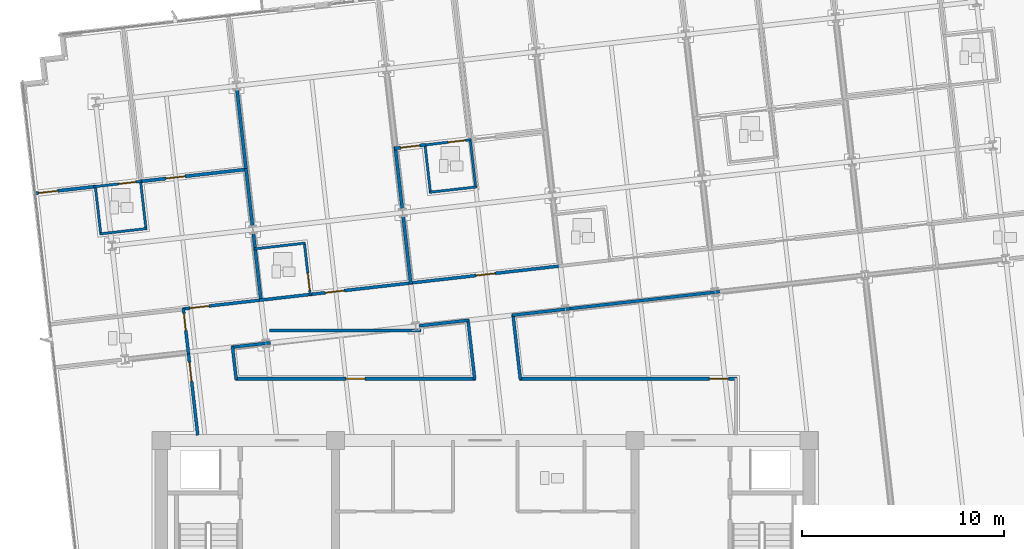
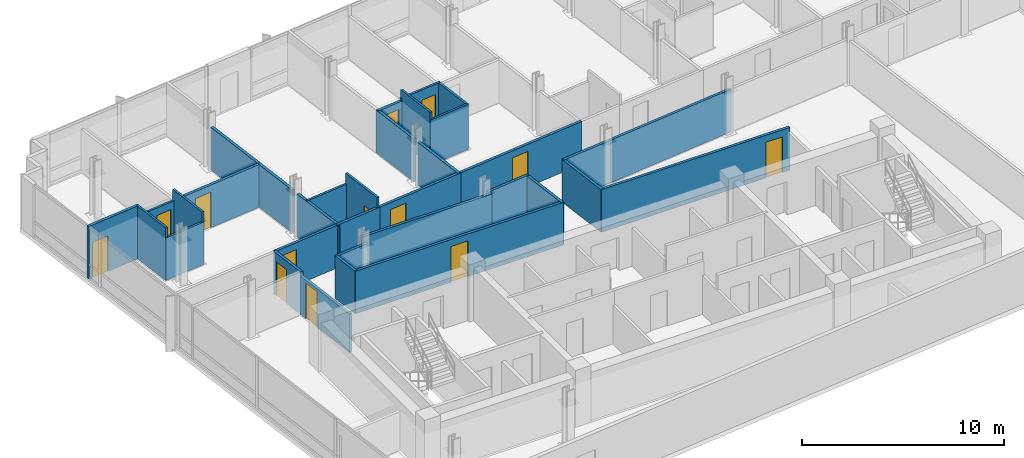
# One storey, part 9 of 17: 34 walls, 13 doors, 13 openings.
"""IFC4 building model written with IfcOpenShell, lengths in metres."""

from ifc_helpers import new_model, si_unit, direction, frame, frame_2d, origin, place, context, subcontext, project, spatial, rectangle, extrude, material, layer, layer_set, type_object, element, fill, save


model = new_model("IFC4")

# Units and contexts
model_context = context("Model", 3, precision=1e-05, world=origin(), true_north=direction((0.0, 1.0)))
body_context = subcontext(model_context, "Body", "Model", "MODEL_VIEW")
ifc_project = project(units=[si_unit("LENGTHUNIT", "METRE"), si_unit("AREAUNIT", "SQUARE_METRE"), si_unit("VOLUMEUNIT", "CUBIC_METRE"), si_unit("PLANEANGLEUNIT", "RADIAN"), si_unit("MASSUNIT", "GRAM", prefix="KILO")], contexts=[model_context])

# Site, building, storey
site_placement = place(None, origin())
site = spatial("IfcSite", under=ifc_project, at=site_placement, CompositionType="ELEMENT")
building_placement = place(site_placement, origin())
building = spatial("IfcBuilding", under=site, at=building_placement, Name="Solmavex Isthmus Hotel", CompositionType="ELEMENT")
storey_placement = place(building_placement, frame((0.0, 0.0, 195.14990234375)))
storey = spatial("IfcBuildingStorey", under=building, at=storey_placement, Name="L52", CompositionType="ELEMENT", Elevation=195.14990234375)

# Wall, opening, door
ifc_material_1 = material(Name="Gypsum plasterboard lining", Category="gypsum")
ifc_layer_1 = layer(ifc_material_1, 0.159912109375)
ifc_layer_set_1 = layer_set([ifc_layer_1], Name="Gypsum plasterboard lining")
wall_type_1 = type_object("IfcWallType", Name="IW-COMP-160", PredefinedType="PARTITIONING", material=ifc_layer_set_1)
wall_1_placement = place(storey_placement, frame((-22.273193359375, 9.701171875, 0.0), z_axis=(0.0, 0.0, 1.0), x_axis=(0.993565909035, 0.113255394587, 0.0)))
wall_1 = element("IfcWall", 1, at=wall_1_placement, inside=storey, type_object=wall_type_1, Name="Interior Partition Wall W-L52-P025", PredefinedType="PARTITIONING", context=body_context, shape_type="SweptSolid", body=[
    extrude(rectangle(XDim=3.073974609375, YDim=0.159912109375, at=frame_2d((1.537109375, 0.0))), origin(), (0.0, 0.0, 1.0), 3.190185546875),
])
opening_1_placement = place(wall_1_placement, frame((0.2099609375, 0.0, 0.0)))
opening_1 = element("IfcOpeningElement", 2, at=opening_1_placement, cuts=wall_1, Name="Opening ID-C095", PredefinedType="OPENING", context=body_context, shape_type="SweptSolid", body=[
    extrude(rectangle(XDim=0.949951171875, YDim=2.14990234375, at=frame_2d((0.47509765625, 1.074951171875))), frame((0.0, 0.08984375, 0.0), z_axis=(0.0, -1.0, 0.0), x_axis=(1.0, 0.0, 0.0)), (0.0, 0.0, 1.0), 0.179931640625),
])
ifc_material_2 = material(Name="Hardwood timber", Category="wood")
door_type_1 = type_object("IfcDoorType", Name="IDR-FD60-0950", OperationType="NOTDEFINED", PredefinedType="DOOR", material=ifc_material_2)
door_1_placement = place(opening_1_placement, origin())
door_1 = element("IfcDoor", 3, at=door_1_placement, inside=storey, type_object=door_type_1, Name="Diplomatic Suite Master Bedroom Door L52-02", OperationType="SINGLE_SWING_RIGHT", OverallHeight=2.14990234375, OverallWidth=0.949951171875, PredefinedType="DOOR", context=body_context, shape_type="SweptSolid", body=[
    extrude(rectangle(XDim=0.949951171875, YDim=2.14990234375, at=frame_2d((0.47509765625, 1.074951171875))), frame((0.0, 0.02490234375, 0.0), z_axis=(0.0, -1.0, 0.0), x_axis=(1.0, 0.0, 0.0)), (0.0, 0.0, 1.0), 0.050048828125),
])
fill(opening_1, door_1)

wall_2_placement = place(storey_placement, frame((-17.06298828125, 10.294921875, 0.0), z_axis=(0.0, 0.0, 1.0), x_axis=(0.993570013337, 0.113219382606, 0.0)))
wall_2 = element("IfcWall", 4, at=wall_2_placement, inside=storey, type_object=wall_type_1, Name="Interior Partition Wall W-L52-P026", PredefinedType="PARTITIONING", context=body_context, shape_type="SweptSolid", body=[
    extrude(rectangle(XDim=5.323974609375, YDim=0.159912109375, at=frame_2d((2.662109375, 0.0))), origin(), (0.0, 0.0, 1.0), 2.572509765625),
])
opening_2_placement = place(wall_2_placement, frame((1.305908203125, 0.0, 0.0)))
opening_2 = element("IfcOpeningElement", 5, at=opening_2_placement, cuts=wall_2, Name="Opening ID-C095", PredefinedType="OPENING", context=body_context, shape_type="SweptSolid", body=[
    extrude(rectangle(XDim=0.949951171875, YDim=2.14990234375, at=frame_2d((0.47509765625, 1.074951171875))), frame((0.0, 0.08984375, 0.0), z_axis=(0.0, -1.0, 0.0), x_axis=(1.0, 0.0, 0.0)), (0.0, 0.0, 1.0), 0.179931640625),
])
door_2_placement = place(opening_2_placement, origin())
door_2 = element("IfcDoor", 6, at=door_2_placement, inside=storey, type_object=door_type_1, Name="Diplomatic Suite Panorama Sitting Study Door L52-03", OperationType="SINGLE_SWING_LEFT", OverallHeight=2.14990234375, OverallWidth=0.949951171875, PredefinedType="DOOR", context=body_context, shape_type="SweptSolid", body=[
    extrude(rectangle(XDim=0.949951171875, YDim=2.14990234375, at=frame_2d((0.47509765625, 1.074951171875))), frame((0.0, 0.02490234375, 0.0), z_axis=(0.0, -1.0, 0.0), x_axis=(1.0, 0.0, 0.0)), (0.0, 0.0, 1.0), 0.050048828125),
])
fill(opening_2, door_2)

# Walls
wall_3_placement = place(storey_placement, frame((-11.817626953125, 10.932861328125, 0.0), z_axis=(0.0, 0.0, 1.0), x_axis=(0.113219576825, -0.993569991205, 0.0)))
element("IfcWall", 7, at=wall_3_placement, inside=storey, type_object=wall_type_1, Name="Interior Partition Wall W-L52-P030", PredefinedType="PARTITIONING", context=body_context, shape_type="SweptSolid", body=[
    extrude(rectangle(XDim=2.863525390625, YDim=0.159912109375, at=frame_2d((1.431640625, 0.0))), origin(), (0.0, 0.0, 1.0), 2.572509765625),
])
wall_4_placement = place(storey_placement, frame((-11.453369140625, 7.737060546875, 0.0), z_axis=(0.0, 0.0, 1.0), x_axis=(0.113229088195, -0.993568907317, 0.0)))
element("IfcWall", 8, at=wall_4_placement, inside=storey, type_object=wall_type_1, Name="Interior Partition Wall W-L52-P031", PredefinedType="PARTITIONING", context=body_context, shape_type="SweptSolid", body=[
    extrude(rectangle(XDim=3.361572265625, YDim=0.159912109375, at=frame_2d((1.6806640625, 0.0))), origin(), (0.0, 0.0, 1.0), 2.572509765625),
])
wall_5_placement = place(storey_placement, frame((-12.262939453125, 14.84326171875, 0.0), z_axis=(0.0, 0.0, 1.0), x_axis=(0.11320023419, -0.993572195152, 0.0)))
element("IfcWall", 9, at=wall_5_placement, inside=storey, type_object=wall_type_1, Name="Interior Partition Wall W-L52-P036", PredefinedType="PARTITIONING", context=body_context, shape_type="SweptSolid", body=[
    extrude(rectangle(XDim=4.015869140625, YDim=0.159912109375, at=frame_2d((2.0078125, 0.0))), origin(), (0.0, 0.0, 1.0), 2.572509765625),
])
wall_6_placement = place(storey_placement, frame((-4.44677734375, 12.01611328125, 0.0), z_axis=(0.0, 0.0, 1.0), x_axis=(0.113200718534, -0.993572139969, 0.0)))
element("IfcWall", 10, at=wall_6_placement, inside=storey, type_object=wall_type_1, Name="Interior Partition Wall W-L52-P039", PredefinedType="PARTITIONING", context=body_context, shape_type="SweptSolid", body=[
    extrude(rectangle(XDim=3.105712890625, YDim=0.159912109375, at=frame_2d((1.552734375, 0.0))), origin(), (0.0, 0.0, 1.0), 2.572509765625),
])
wall_7_placement = place(storey_placement, frame((-4.05517578125, 8.580078125, 0.0), z_axis=(0.0, 0.0, 1.0), x_axis=(0.113149223935, -0.993578005555, 0.0)))
element("IfcWall", 11, at=wall_7_placement, inside=storey, type_object=wall_type_1, Name="Interior Partition Wall W-L52-P040", PredefinedType="PARTITIONING", context=body_context, shape_type="SweptSolid", body=[
    extrude(rectangle(XDim=3.361572265625, YDim=0.159912109375, at=frame_2d((1.6806640625, 0.0))), origin(), (0.0, 0.0, 1.0), 2.572509765625),
])

# Wall, opening, door
wall_8_placement = place(storey_placement, frame((-4.477294921875, 11.93017578125, 0.0), z_axis=(0.0, 0.0, 1.0), x_axis=(0.993573147212, 0.113191877531, 0.0)))
wall_8 = element("IfcWall", 12, at=wall_8_placement, inside=storey, type_object=wall_type_1, Name="Interior Partition Wall W-L52-P043", PredefinedType="PARTITIONING", context=body_context, shape_type="SweptSolid", body=[
    extrude(rectangle(XDim=1.552978515625, YDim=0.159912109375, at=frame_2d((0.7763671875, 0.0))), origin(), (0.0, 0.0, 1.0), 2.572509765625),
])
opening_3_placement = place(wall_8_placement, frame((0.301513671875, 0.0, 0.0)))
opening_3 = element("IfcOpeningElement", 13, at=opening_3_placement, cuts=wall_8, Name="Opening ID-C095", PredefinedType="OPENING", context=body_context, shape_type="SweptSolid", body=[
    extrude(rectangle(XDim=0.949951171875, YDim=2.14990234375, at=frame_2d((0.47509765625, 1.074951171875))), frame((0.0, 0.08984375, 0.0), z_axis=(0.0, -1.0, 0.0), x_axis=(1.0, 0.0, 0.0)), (0.0, 0.0, 1.0), 0.179931640625),
])
door_3_placement = place(opening_3_placement, origin())
door_3 = element("IfcDoor", 14, at=door_3_placement, inside=storey, type_object=door_type_1, Name="Diplomatic Hospitality Suite Bedroom Door L52-08", OperationType="SINGLE_SWING_RIGHT", OverallHeight=2.14990234375, OverallWidth=0.949951171875, PredefinedType="DOOR", context=body_context, shape_type="SweptSolid", body=[
    extrude(rectangle(XDim=0.949951171875, YDim=2.14990234375, at=frame_2d((0.47509765625, 1.074951171875))), frame((0.0, 0.02490234375, 0.0), z_axis=(0.0, -1.0, 0.0), x_axis=(1.0, 0.0, 0.0)), (0.0, 0.0, 1.0), 0.050048828125),
])
fill(opening_3, door_3)

ifc_layer_2 = layer(ifc_material_1, 0.14990234375)
ifc_layer_set_2 = layer_set([ifc_layer_2], Name="Gypsum plasterboard lining")
wall_type_2 = type_object("IfcWallType", Name="IW-CORR-150", PredefinedType="PARTITIONING", material=ifc_layer_set_2)
wall_9_placement = place(storey_placement, frame((-14.950439453125, 3.99560546875, 0.0), z_axis=(0.0, 0.0, 1.0), x_axis=(0.993575504711, 0.11317118201, 0.0)))
wall_9 = element("IfcWall", 15, at=wall_9_placement, inside=storey, type_object=wall_type_2, Name="Interior Partition Wall W-L52-P001", PredefinedType="PARTITIONING", context=body_context, shape_type="SweptSolid", body=[
    extrude(rectangle(XDim=3.980224609375, YDim=0.14990234375, at=frame_2d((1.990234375, 0.0))), origin(), (0.0, 0.0, 1.0), 2.572509765625),
])
opening_4_placement = place(wall_9_placement, frame((0.368408203125, 0.0, 0.0)))
opening_4 = element("IfcOpeningElement", 16, at=opening_4_placement, cuts=wall_9, Name="Opening ID-C095", PredefinedType="OPENING", context=body_context, shape_type="SweptSolid", body=[
    extrude(rectangle(XDim=0.949951171875, YDim=2.14990234375, at=frame_2d((0.47509765625, 1.074951171875))), frame((0.0, 0.0849609375, 0.0), z_axis=(0.0, -1.0, 0.0), x_axis=(1.0, 0.0, 0.0)), (0.0, 0.0, 1.0), 0.169921875),
])
door_4_placement = place(opening_4_placement, origin())
door_4 = element("IfcDoor", 17, at=door_4_placement, inside=storey, type_object=door_type_1, Name="Diplomatic Suite Living Salon Door L52-01", OperationType="SINGLE_SWING_LEFT", OverallHeight=2.14990234375, OverallWidth=0.949951171875, PredefinedType="DOOR", context=body_context, shape_type="SweptSolid", body=[
    extrude(rectangle(XDim=0.949951171875, YDim=2.14990234375, at=frame_2d((0.47509765625, 1.074951171875))), frame((0.0, 0.02490234375, 0.0), z_axis=(0.0, -1.0, 0.0), x_axis=(1.0, 0.0, 0.0)), (0.0, 0.0, 1.0), 0.050048828125),
])
fill(opening_4, door_4)

wall_10_placement = place(storey_placement, frame((-8.724609375, 4.704833984375, 0.0), z_axis=(0.0, 0.0, 1.0), x_axis=(0.993569374626, 0.113224987546, 0.0)))
wall_10 = element("IfcWall", 18, at=wall_10_placement, inside=storey, type_object=wall_type_2, Name="Interior Partition Wall W-L52-P002", PredefinedType="PARTITIONING", context=body_context, shape_type="SweptSolid", body=[
    extrude(rectangle(XDim=5.159912109375, YDim=0.14990234375, at=frame_2d((2.580078125, 0.0))), origin(), (0.0, 0.0, 1.0), 2.572509765625),
])
opening_5_placement = place(wall_10_placement, frame((0.82470703125, 0.0, 0.0)))
opening_5 = element("IfcOpeningElement", 19, at=opening_5_placement, cuts=wall_10, Name="Opening ID-C095", PredefinedType="OPENING", context=body_context, shape_type="SweptSolid", body=[
    extrude(rectangle(XDim=0.949951171875, YDim=2.14990234375, at=frame_2d((0.47509765625, 1.074951171875))), frame((0.0, 0.0849609375, 0.0), z_axis=(0.0, -1.0, 0.0), x_axis=(1.0, 0.0, 0.0)), (0.0, 0.0, 1.0), 0.169921875),
])
door_5_placement = place(opening_5_placement, origin())
door_5 = element("IfcDoor", 20, at=door_5_placement, inside=storey, type_object=door_type_1, Name="Premier Suite Door L52-05", OperationType="SINGLE_SWING_LEFT", OverallHeight=2.14990234375, OverallWidth=0.949951171875, PredefinedType="DOOR", context=body_context, shape_type="SweptSolid", body=[
    extrude(rectangle(XDim=0.949951171875, YDim=2.14990234375, at=frame_2d((0.47509765625, 1.074951171875))), frame((0.0, 0.02490234375, 0.0), z_axis=(0.0, -1.0, 0.0), x_axis=(1.0, 0.0, 0.0)), (0.0, 0.0, 1.0), 0.050048828125),
])
fill(opening_5, door_5)

# Wall
wall_11_placement = place(storey_placement, frame((-11.158935546875, 4.427490234375, 0.0), z_axis=(0.0, 0.0, 1.0), x_axis=(0.993572349416, 0.113198880193, 0.0)))
element("IfcWall", 21, at=wall_11_placement, inside=storey, type_object=wall_type_2, Name="Interior Partition Wall W-L52-P003", PredefinedType="PARTITIONING", context=body_context, shape_type="SweptSolid", body=[
    extrude(rectangle(XDim=2.614013671875, YDim=0.14990234375, at=frame_2d((1.30712890625, 0.0))), origin(), (0.0, 0.0, 1.0), 2.572509765625),
])

# Wall, opening, door
wall_12_placement = place(storey_placement, frame((-3.7607421875, 5.2705078125, 0.0), z_axis=(0.0, 0.0, 1.0), x_axis=(0.993570360949, 0.113216332056, 0.0)))
wall_12 = element("IfcWall", 22, at=wall_12_placement, inside=storey, type_object=wall_type_2, Name="Interior Partition Wall W-L52-P004", PredefinedType="PARTITIONING", context=body_context, shape_type="SweptSolid", body=[
    extrude(rectangle(XDim=7.60986328125, YDim=0.14990234375, at=frame_2d((3.804931640625, 0.0))), origin(), (0.0, 0.0, 1.0), 2.572509765625),
])
opening_6_placement = place(wall_12_placement, frame((3.330078125, 0.0, 0.0)))
opening_6 = element("IfcOpeningElement", 23, at=opening_6_placement, cuts=wall_12, Name="Opening ID-C095", PredefinedType="OPENING", context=body_context, shape_type="SweptSolid", body=[
    extrude(rectangle(XDim=0.949951171875, YDim=2.14990234375, at=frame_2d((0.47509765625, 1.074951171875))), frame((0.0, 0.0849609375, 0.0), z_axis=(0.0, -1.0, 0.0), x_axis=(1.0, 0.0, 0.0)), (0.0, 0.0, 1.0), 0.169921875),
])
door_6_placement = place(opening_6_placement, origin())
door_6 = element("IfcDoor", 24, at=door_6_placement, inside=storey, type_object=door_type_1, Name="Diplomatic Hospitality Suite Reception Foyer Door L52-07", OperationType="SINGLE_SWING_LEFT", OverallHeight=2.14990234375, OverallWidth=0.949951171875, PredefinedType="DOOR", context=body_context, shape_type="SweptSolid", body=[
    extrude(rectangle(XDim=0.949951171875, YDim=2.14990234375, at=frame_2d((0.47509765625, 1.074951171875))), frame((0.0, 0.02490234375, 0.0), z_axis=(0.0, -1.0, 0.0), x_axis=(1.0, 0.0, 0.0)), (0.0, 0.0, 1.0), 0.050048828125),
])
fill(opening_6, door_6)

wall_13_placement = place(storey_placement, frame((-14.657958984375, 1.782470703125, 0.0), z_axis=(0.0, 0.0, 1.0), x_axis=(-0.113179685294, 0.993574536125, 0.0)))
wall_13 = element("IfcWall", 25, at=wall_13_placement, inside=storey, type_object=wall_type_2, Name="Interior Partition Wall W-L52-P009", PredefinedType="PARTITIONING", context=body_context, shape_type="SweptSolid", body=[
    extrude(rectangle(XDim=2.251953125, YDim=0.14990234375, at=frame_2d((1.1259765625, 0.0))), origin(), (0.0, 0.0, 1.0), 2.572509765625),
])
opening_7_placement = place(wall_13_placement, frame((1.156982421875, 0.0, 0.0)))
opening_7 = element("IfcOpeningElement", 26, at=opening_7_placement, cuts=wall_13, Name="Opening ID-R085", PredefinedType="OPENING", context=body_context, shape_type="SweptSolid", body=[
    extrude(rectangle(XDim=0.85009765625, YDim=2.050048828125, at=frame_2d((0.425048828125, 1.02490234375))), frame((0.0, 0.0849609375, 0.0), z_axis=(0.0, -1.0, 0.0), x_axis=(1.0, 0.0, 0.0)), (0.0, 0.0, 1.0), 0.169921875),
])
ifc_material_3 = material(Name="Steel ASTM A500 Grade C", Category="steel")
door_type_2 = type_object("IfcDoorType", Name="IDR-FD60-0850", OperationType="NOTDEFINED", PredefinedType="DOOR", material=ifc_material_3)
door_7_placement = place(opening_7_placement, frame((0.85009765625, 0.0, 0.0), z_axis=(0.0, 0.0, 1.0), x_axis=(-1.0, 0.0, 0.0)))
door_7 = element("IfcDoor", 27, at=door_7_placement, inside=storey, type_object=door_type_2, Name="Accessible Public Restroom WC Door L52-21", OperationType="SINGLE_SWING_LEFT", OverallHeight=2.050048828125, OverallWidth=0.85009765625, PredefinedType="DOOR", context=body_context, shape_type="SweptSolid", body=[
    extrude(rectangle(XDim=0.85009765625, YDim=2.050048828125, at=frame_2d((0.425048828125, 1.02490234375))), frame((0.0, 0.02490234375, 0.0), z_axis=(0.0, -1.0, 0.0), x_axis=(1.0, 0.0, 0.0)), (0.0, 0.0, 1.0), 0.050048828125),
])
fill(opening_7, door_7)

# Walls
wall_14_placement = place(storey_placement, frame((-10.6064453125, 2.32666015625, 0.0), z_axis=(0.0, 0.0, 1.0), x_axis=(-0.993564486687, -0.113267871856, 0.0)))
element("IfcWall", 28, at=wall_14_placement, inside=storey, type_object=wall_type_2, Name="Interior Partition Wall W-L52-P011", PredefinedType="PARTITIONING", context=body_context, shape_type="SweptSolid", body=[
    extrude(rectangle(XDim=1.927001953125, YDim=0.14990234375, at=frame_2d((0.96337890625, 0.0))), origin(), (0.0, 0.0, 1.0), 2.572509765625),
])
wall_15_placement = place(storey_placement, frame((-12.48583984375, 2.15283203125, 0.0), z_axis=(0.0, 0.0, 1.0), x_axis=(0.113121752139, -0.993581133674, 0.0)))
element("IfcWall", 29, at=wall_15_placement, inside=storey, type_object=wall_type_2, Name="Interior Partition Wall W-L52-P012", PredefinedType="PARTITIONING", context=body_context, shape_type="SweptSolid", body=[
    extrude(rectangle(XDim=1.653076171875, YDim=0.14990234375, at=frame_2d((0.82666015625, 0.0))), origin(), (0.0, 0.0, 1.0), 2.572509765625),
])

# Wall, opening, door
wall_16_placement = place(storey_placement, frame((-12.34326171875, 0.550048828125, 0.0), z_axis=(0.0, 0.0, 1.0), x_axis=(1.0, 0.0, 0.0)))
wall_16 = element("IfcWall", 30, at=wall_16_placement, inside=storey, type_object=wall_type_2, Name="Interior Partition Wall W-L52-P013", PredefinedType="PARTITIONING", context=body_context, shape_type="SweptSolid", body=[
    extrude(rectangle(XDim=11.86279296875, YDim=0.14990234375, at=frame_2d((5.931396484375, 0.0))), origin(), (0.0, 0.0, 1.0), 2.572509765625),
])
opening_8_placement = place(wall_16_placement, frame((5.456298828125, 0.0, 0.0)))
opening_8 = element("IfcOpeningElement", 31, at=opening_8_placement, cuts=wall_16, Name="Opening ID-C095", PredefinedType="OPENING", context=body_context, shape_type="SweptSolid", body=[
    extrude(rectangle(XDim=0.949951171875, YDim=2.14990234375, at=frame_2d((0.47509765625, 1.074951171875))), frame((0.0, 0.0849609375, 0.0), z_axis=(0.0, -1.0, 0.0), x_axis=(1.0, 0.0, 0.0)), (0.0, 0.0, 1.0), 0.169921875),
])
door_8_placement = place(opening_8_placement, origin())
door_8 = element("IfcDoor", 32, at=door_8_placement, inside=storey, type_object=door_type_1, Name="Executive Meeting Room Door L52-23", OperationType="SINGLE_SWING_LEFT", OverallHeight=2.14990234375, OverallWidth=0.949951171875, PredefinedType="DOOR", context=body_context, shape_type="SweptSolid", body=[
    extrude(rectangle(XDim=0.949951171875, YDim=2.14990234375, at=frame_2d((0.47509765625, 1.074951171875))), frame((0.0, 0.02490234375, 0.0), z_axis=(0.0, -1.0, 0.0), x_axis=(1.0, 0.0, 0.0)), (0.0, 0.0, 1.0), 0.050048828125),
])
fill(opening_8, door_8)

# Walls
wall_17_placement = place(storey_placement, frame((-0.515869140625, 0.51025390625, 0.0), z_axis=(0.0, 0.0, 1.0), x_axis=(-0.113283799092, 0.993562670828, 0.0)))
element("IfcWall", 33, at=wall_17_placement, inside=storey, type_object=wall_type_2, Name="Interior Partition Wall W-L52-P014", PredefinedType="PARTITIONING", context=body_context, shape_type="SweptSolid", body=[
    extrude(rectangle(XDim=2.987060546875, YDim=0.14990234375, at=frame_2d((1.49365234375, 0.0))), origin(), (0.0, 0.0, 1.0), 2.572509765625),
])
wall_18_placement = place(storey_placement, frame((-0.809814453125, 3.44287109375, 0.0), z_axis=(0.0, 0.0, 1.0), x_axis=(-0.993568355418, -0.113233930922, 0.0)))
element("IfcWall", 34, at=wall_18_placement, inside=storey, type_object=wall_type_2, Name="Interior Partition Wall W-L52-P015", PredefinedType="PARTITIONING", context=body_context, shape_type="SweptSolid", body=[
    extrude(rectangle(XDim=2.466552734375, YDim=0.14990234375, at=frame_2d((1.2333984375, 0.0))), origin(), (0.0, 0.0, 1.0), 2.572509765625),
])
wall_19_placement = place(storey_placement, frame((-3.180908203125, 2.9287109375, 0.0), z_axis=(0.0, 0.0, 1.0), x_axis=(-1.0, 0.0, 0.0)))
element("IfcWall", 35, at=wall_19_placement, inside=storey, type_object=wall_type_2, Name="Interior Partition Wall W-L52-P016", PredefinedType="PARTITIONING", context=body_context, shape_type="SweptSolid", body=[
    extrude(rectangle(XDim=7.477783203125, YDim=0.14990234375, at=frame_2d((3.73876953125, 0.0))), origin(), (0.0, 0.0, 1.0), 2.572509765625),
])

# Wall, opening, door
wall_20_placement = place(storey_placement, frame((-14.19970703125, -2.23974609375, 0.0), z_axis=(0.0, 0.0, 1.0), x_axis=(-0.11319839611, 0.993572404568, 0.0)))
wall_20 = element("IfcWall", 36, at=wall_20_placement, inside=storey, type_object=wall_type_2, Name="Interior Partition Wall W-L52-P017", PredefinedType="PARTITIONING", context=body_context, shape_type="SweptSolid", body=[
    extrude(rectangle(XDim=4.212158203125, YDim=0.14990234375, at=frame_2d((2.10595703125, 0.0))), origin(), (0.0, 0.0, 1.0), 2.3251953125),
])
opening_9_placement = place(wall_20_placement, frame((2.67236328125, 0.0, 0.0)))
opening_9 = element("IfcOpeningElement", 37, at=opening_9_placement, cuts=wall_20, Name="Opening ID-C095", PredefinedType="OPENING", context=body_context, shape_type="SweptSolid", body=[
    extrude(rectangle(XDim=0.949951171875, YDim=2.14990234375, at=frame_2d((0.47509765625, 1.074951171875))), frame((0.0, 0.0849609375, 0.0), z_axis=(0.0, -1.0, 0.0), x_axis=(1.0, 0.0, 0.0)), (0.0, 0.0, 1.0), 0.169921875),
])
door_9_placement = place(opening_9_placement, frame((0.949951171875, 0.0, 0.0), z_axis=(0.0, 0.0, 1.0), x_axis=(-1.0, 0.0, 0.0)))
door_9 = element("IfcDoor", 38, at=door_9_placement, inside=storey, type_object=door_type_1, Name="Club Lounge Door L52-24", OperationType="SINGLE_SWING_RIGHT", OverallHeight=2.14990234375, OverallWidth=0.949951171875, PredefinedType="DOOR", context=body_context, shape_type="SweptSolid", body=[
    extrude(rectangle(XDim=0.949951171875, YDim=2.14990234375, at=frame_2d((0.47509765625, 1.074951171875))), frame((0.0, 0.02490234375, 0.0), z_axis=(0.0, -1.0, 0.0), x_axis=(1.0, 0.0, 0.0)), (0.0, 0.0, 1.0), 0.050048828125),
])
fill(opening_9, door_9)

# Walls
wall_21_placement = place(storey_placement, frame((4.18994140625, 4.012451171875, 0.0), z_axis=(0.0, 0.0, 1.0), x_axis=(-0.99356987962, -0.113220556049, 0.0)))
element("IfcWall", 39, at=wall_21_placement, inside=storey, type_object=wall_type_2, Name="Interior Partition Wall W-L52-P018", PredefinedType="PARTITIONING", context=body_context, shape_type="SweptSolid", body=[
    extrude(rectangle(XDim=2.872314453125, YDim=0.14990234375, at=frame_2d((1.43603515625, 0.0))), origin(), (0.0, 0.0, 1.0), 2.572509765625),
])
wall_22_placement = place(storey_placement, frame((1.37158203125, 3.731689453125, 0.0), z_axis=(0.0, 0.0, 1.0), x_axis=(0.113174940517, -0.993575076599, 0.0)))
element("IfcWall", 40, at=wall_22_placement, inside=storey, type_object=wall_type_2, Name="Interior Partition Wall W-L52-P019", PredefinedType="PARTITIONING", context=body_context, shape_type="SweptSolid", body=[
    extrude(rectangle(XDim=3.2421875, YDim=0.14990234375, at=frame_2d((1.62109375, 0.0))), origin(), (0.0, 0.0, 1.0), 2.572509765625),
])

# Wall, opening, door
wall_23_placement = place(storey_placement, frame((1.694091796875, 0.550048828125, 0.0), z_axis=(0.0, 0.0, 1.0), x_axis=(1.0, 0.0, 0.0)))
wall_23 = element("IfcWall", 41, at=wall_23_placement, inside=storey, type_object=wall_type_2, Name="Interior Partition Wall W-L52-P020", PredefinedType="PARTITIONING", context=body_context, shape_type="SweptSolid", body=[
    extrude(rectangle(XDim=10.745849609375, YDim=0.14990234375, at=frame_2d((5.373046875, 0.0))), origin(), (0.0, 0.0, 1.0), 2.572509765625),
])
opening_10_placement = place(wall_23_placement, frame((9.377685546875, 0.0, 0.0)))
opening_10 = element("IfcOpeningElement", 42, at=opening_10_placement, cuts=wall_23, Name="Opening ID-C095", PredefinedType="OPENING", context=body_context, shape_type="SweptSolid", body=[
    extrude(rectangle(XDim=0.949951171875, YDim=2.14990234375, at=frame_2d((0.47509765625, 1.074951171875))), frame((0.0, 0.0849609375, 0.0), z_axis=(0.0, -1.0, 0.0), x_axis=(1.0, 0.0, 0.0)), (0.0, 0.0, 1.0), 0.169921875),
])
door_10_placement = place(opening_10_placement, frame((0.949951171875, 0.0, 0.0), z_axis=(0.0, 0.0, 1.0), x_axis=(-1.0, 0.0, 0.0)))
door_10 = element("IfcDoor", 43, at=door_10_placement, inside=storey, type_object=door_type_1, Name="Executive Meeting Room Door L52-26", OperationType="SINGLE_SWING_RIGHT", OverallHeight=2.14990234375, OverallWidth=0.949951171875, PredefinedType="DOOR", context=body_context, shape_type="SweptSolid", body=[
    extrude(rectangle(XDim=0.949951171875, YDim=2.14990234375, at=frame_2d((0.47509765625, 1.074951171875))), frame((0.0, 0.02490234375, 0.0), z_axis=(0.0, -1.0, 0.0), x_axis=(1.0, 0.0, 0.0)), (0.0, 0.0, 1.0), 0.050048828125),
])
fill(opening_10, door_10)

# Walls
wall_24_placement = place(storey_placement, frame((11.587890625, 4.855224609375, 0.0), z_axis=(0.0, 0.0, 1.0), x_axis=(-0.993575418148, -0.113171941983, 0.0)))
element("IfcWall", 44, at=wall_24_placement, inside=storey, type_object=wall_type_2, Name="Interior Partition Wall W-L52-P022", PredefinedType="PARTITIONING", context=body_context, shape_type="SweptSolid", body=[
    extrude(rectangle(XDim=7.49853515625, YDim=0.14990234375, at=frame_2d((3.749267578125, 0.0))), origin(), (0.0, 0.0, 1.0), 2.572509765625),
])
ifc_layer_3 = layer(ifc_material_1, 0.1201171875)
ifc_layer_set_3 = layer_set([ifc_layer_3], Name="Gypsum plasterboard lining")
wall_type_3 = type_object("IfcWallType", Name="IW-PART-120", PredefinedType="PARTITIONING", material=ifc_layer_set_3)
wall_25_placement = place(storey_placement, frame((-19.263427734375, 10.08447265625, 0.0), z_axis=(0.0, 0.0, 1.0), x_axis=(0.113232053563, -0.993568569373, 0.0)))
element("IfcWall", 45, at=wall_25_placement, inside=storey, type_object=wall_type_3, Name="Interior Partition Wall W-L52-P027", PredefinedType="PARTITIONING", context=body_context, shape_type="SweptSolid", body=[
    extrude(rectangle(XDim=2.429931640625, YDim=0.1201171875, at=frame_2d((1.21484375, 0.0))), origin(), (0.0, 0.0, 1.0), 3.190185546875),
])
wall_26_placement = place(storey_placement, frame((-19.032470703125, 7.705322265625, 0.0), z_axis=(0.0, 0.0, 1.0), x_axis=(0.99357583204, 0.113168308226, 0.0)))
element("IfcWall", 46, at=wall_26_placement, inside=storey, type_object=wall_type_3, Name="Interior Partition Wall W-L52-P028", PredefinedType="PARTITIONING", context=body_context, shape_type="SweptSolid", body=[
    extrude(rectangle(XDim=2.329833984375, YDim=0.1201171875, at=frame_2d((1.1650390625, 0.0))), origin(), (0.0, 0.0, 1.0), 2.5576171875),
])
wall_27_placement = place(storey_placement, frame((-16.752685546875, 7.9248046875, 0.0), z_axis=(0.0, 0.0, 1.0), x_axis=(-0.113232053563, 0.993568569373, 0.0)))
element("IfcWall", 47, at=wall_27_placement, inside=storey, type_object=wall_type_3, Name="Interior Partition Wall W-L52-P029", PredefinedType="PARTITIONING", context=body_context, shape_type="SweptSolid", body=[
    extrude(rectangle(XDim=2.429931640625, YDim=0.1201171875, at=frame_2d((1.21484375, 0.0))), origin(), (0.0, 0.0, 1.0), 3.190185546875),
])

# Wall, opening, door
wall_28_placement = place(storey_placement, frame((-16.983642578125, 10.303955078125, 0.0), z_axis=(0.0, 0.0, 1.0), x_axis=(-0.993569776601, -0.113221460091, 0.0)))
wall_28 = element("IfcWall", 48, at=wall_28_placement, inside=storey, type_object=wall_type_3, Name="Interior Partition Wall W-L52-P034", PredefinedType="PARTITIONING", context=body_context, shape_type="SweptSolid", body=[
    extrude(rectangle(XDim=2.371826171875, YDim=0.1201171875, at=frame_2d((1.18603515625, 0.0))), origin(), (0.0, 0.0, 1.0), 2.5576171875),
])
opening_11_placement = place(wall_28_placement, frame((0.27978515625, 0.0, 0.0)))
opening_11 = element("IfcOpeningElement", 49, at=opening_11_placement, cuts=wall_28, Name="Opening ID-U085", PredefinedType="OPENING", context=body_context, shape_type="SweptSolid", body=[
    extrude(rectangle(XDim=0.85009765625, YDim=2.10009765625, at=frame_2d((0.425048828125, 1.050048828125))), frame((0.0, 0.070068359375, 0.0), z_axis=(0.0, -1.0, 0.0), x_axis=(1.0, 0.0, 0.0)), (0.0, 0.0, 1.0), 0.14013671875),
])
door_type_3 = type_object("IfcDoorType", Name="IDR-UNR-0850", OperationType="NOTDEFINED", PredefinedType="DOOR", material=ifc_material_2)
door_11_placement = place(opening_11_placement, frame((0.85009765625, 0.0, 0.0), z_axis=(0.0, 0.0, 1.0), x_axis=(-1.0, 0.0, 0.0)))
door_11 = element("IfcDoor", 50, at=door_11_placement, inside=storey, type_object=door_type_3, Name="En-suite Bathroom Door L52-04", OperationType="SINGLE_SWING_RIGHT", OverallHeight=2.10009765625, OverallWidth=0.85009765625, PredefinedType="DOOR", context=body_context, shape_type="SweptSolid", body=[
    extrude(rectangle(XDim=0.85009765625, YDim=2.10009765625, at=frame_2d((0.425048828125, 1.050048828125))), frame((0.0, 0.02490234375, 0.0), z_axis=(0.0, -1.0, 0.0), x_axis=(1.0, 0.0, 0.0)), (0.0, 0.0, 1.0), 0.050048828125),
])
fill(opening_11, door_11)

wall_29_placement = place(storey_placement, frame((-8.638671875, 4.674560546875, 0.0), z_axis=(0.0, 0.0, 1.0), x_axis=(-0.113161716754, 0.993576582786, 0.0)))
wall_29 = element("IfcWall", 51, at=wall_29_placement, inside=storey, type_object=wall_type_3, Name="Interior Partition Wall W-L52-P037", PredefinedType="PARTITIONING", context=body_context, shape_type="SweptSolid", body=[
    extrude(rectangle(XDim=2.6298828125, YDim=0.1201171875, at=frame_2d((1.31494140625, 0.0))), origin(), (0.0, 0.0, 1.0), 3.190185546875),
])
opening_12_placement = place(wall_29_placement, frame((0.247314453125, 0.0, 0.0)))
opening_12 = element("IfcOpeningElement", 52, at=opening_12_placement, cuts=wall_29, Name="Opening ID-U085", PredefinedType="OPENING", context=body_context, shape_type="SweptSolid", body=[
    extrude(rectangle(XDim=0.85009765625, YDim=2.10009765625, at=frame_2d((0.425048828125, 1.050048828125))), frame((0.0, 0.070068359375, 0.0), z_axis=(0.0, -1.0, 0.0), x_axis=(1.0, 0.0, 0.0)), (0.0, 0.0, 1.0), 0.14013671875),
])
door_12_placement = place(opening_12_placement, frame((0.85009765625, 0.0, 0.0), z_axis=(0.0, 0.0, 1.0), x_axis=(-1.0, 0.0, 0.0)))
door_12 = element("IfcDoor", 53, at=door_12_placement, inside=storey, type_object=door_type_3, Name="En-suite Bathroom Door L52-06", OperationType="SINGLE_SWING_RIGHT", OverallHeight=2.10009765625, OverallWidth=0.85009765625, PredefinedType="DOOR", context=body_context, shape_type="SweptSolid", body=[
    extrude(rectangle(XDim=0.85009765625, YDim=2.10009765625, at=frame_2d((0.425048828125, 1.050048828125))), frame((0.0, 0.02490234375, 0.0), z_axis=(0.0, -1.0, 0.0), x_axis=(1.0, 0.0, 0.0)), (0.0, 0.0, 1.0), 0.050048828125),
])
fill(opening_12, door_12)

# Walls
wall_30_placement = place(storey_placement, frame((-8.89208984375, 7.25244140625, 0.0), z_axis=(0.0, 0.0, 1.0), x_axis=(-0.993561877368, -0.113290757967, 0.0)))
element("IfcWall", 54, at=wall_30_placement, inside=storey, type_object=wall_type_3, Name="Interior Partition Wall W-L52-P038", PredefinedType="PARTITIONING", context=body_context, shape_type="SweptSolid", body=[
    extrude(rectangle(XDim=2.530029296875, YDim=0.1201171875, at=frame_2d((1.26513671875, 0.0))), origin(), (0.0, 0.0, 1.0), 2.572509765625),
])
wall_31_placement = place(storey_placement, frame((-2.978515625, 12.14111328125, 0.0), z_axis=(0.0, 0.0, 1.0), x_axis=(0.113232053563, -0.993568569373, 0.0)))
element("IfcWall", 55, at=wall_31_placement, inside=storey, type_object=wall_type_3, Name="Interior Partition Wall W-L52-P045", PredefinedType="PARTITIONING", context=body_context, shape_type="SweptSolid", body=[
    extrude(rectangle(XDim=2.429931640625, YDim=0.1201171875, at=frame_2d((1.21484375, 0.0))), origin(), (0.0, 0.0, 1.0), 3.190185546875),
])
wall_32_placement = place(storey_placement, frame((-2.74755859375, 9.761962890625, 0.0), z_axis=(0.0, 0.0, 1.0), x_axis=(0.993564044581, 0.113271749862, 0.0)))
element("IfcWall", 56, at=wall_32_placement, inside=storey, type_object=wall_type_3, Name="Interior Partition Wall W-L52-P046", PredefinedType="PARTITIONING", context=body_context, shape_type="SweptSolid", body=[
    extrude(rectangle(XDim=2.329833984375, YDim=0.1201171875, at=frame_2d((1.1650390625, 0.0))), origin(), (0.0, 0.0, 1.0), 2.71826171875),
])
wall_33_placement = place(storey_placement, frame((-0.4677734375, 9.9814453125, 0.0), z_axis=(0.0, 0.0, 1.0), x_axis=(-0.11322075119, 0.993569857383, 0.0)))
element("IfcWall", 57, at=wall_33_placement, inside=storey, type_object=wall_type_3, Name="Interior Partition Wall W-L52-P047", PredefinedType="PARTITIONING", context=body_context, shape_type="SweptSolid", body=[
    extrude(rectangle(XDim=2.43017578125, YDim=0.1201171875, at=frame_2d((1.215087890625, 0.0))), origin(), (0.0, 0.0, 1.0), 2.71826171875),
])

# Wall, opening, door
wall_34_placement = place(storey_placement, frame((-0.69873046875, 12.360595703125, 0.0), z_axis=(0.0, 0.0, 1.0), x_axis=(-0.99358135033, -0.113119849167, 0.0)))
wall_34 = element("IfcWall", 58, at=wall_34_placement, inside=storey, type_object=wall_type_3, Name="Interior Partition Wall W-L52-P051", PredefinedType="PARTITIONING", context=body_context, shape_type="SweptSolid", body=[
    extrude(rectangle(XDim=2.371826171875, YDim=0.1201171875, at=frame_2d((1.18603515625, 0.0))), origin(), (0.0, 0.0, 1.0), 2.71826171875),
])
opening_13_placement = place(wall_34_placement, frame((0.27978515625, 0.0, 0.0)))
opening_13 = element("IfcOpeningElement", 59, at=opening_13_placement, cuts=wall_34, Name="Opening ID-U085", PredefinedType="OPENING", context=body_context, shape_type="SweptSolid", body=[
    extrude(rectangle(XDim=0.85009765625, YDim=2.10009765625, at=frame_2d((0.425048828125, 1.050048828125))), frame((0.0, 0.070068359375, 0.0), z_axis=(0.0, -1.0, 0.0), x_axis=(1.0, 0.0, 0.0)), (0.0, 0.0, 1.0), 0.14013671875),
])
door_13_placement = place(opening_13_placement, frame((0.85009765625, 0.0, 0.0), z_axis=(0.0, 0.0, 1.0), x_axis=(-1.0, 0.0, 0.0)))
door_13 = element("IfcDoor", 60, at=door_13_placement, inside=storey, type_object=door_type_3, Name="En-suite Bathroom Door L52-10", OperationType="SINGLE_SWING_RIGHT", OverallHeight=2.10009765625, OverallWidth=0.85009765625, PredefinedType="DOOR", context=body_context, shape_type="SweptSolid", body=[
    extrude(rectangle(XDim=0.85009765625, YDim=2.10009765625, at=frame_2d((0.425048828125, 1.050048828125))), frame((0.0, 0.02490234375, 0.0), z_axis=(0.0, -1.0, 0.0), x_axis=(1.0, 0.0, 0.0)), (0.0, 0.0, 1.0), 0.050048828125),
])
fill(opening_13, door_13)

save(model, "model.ifc")
